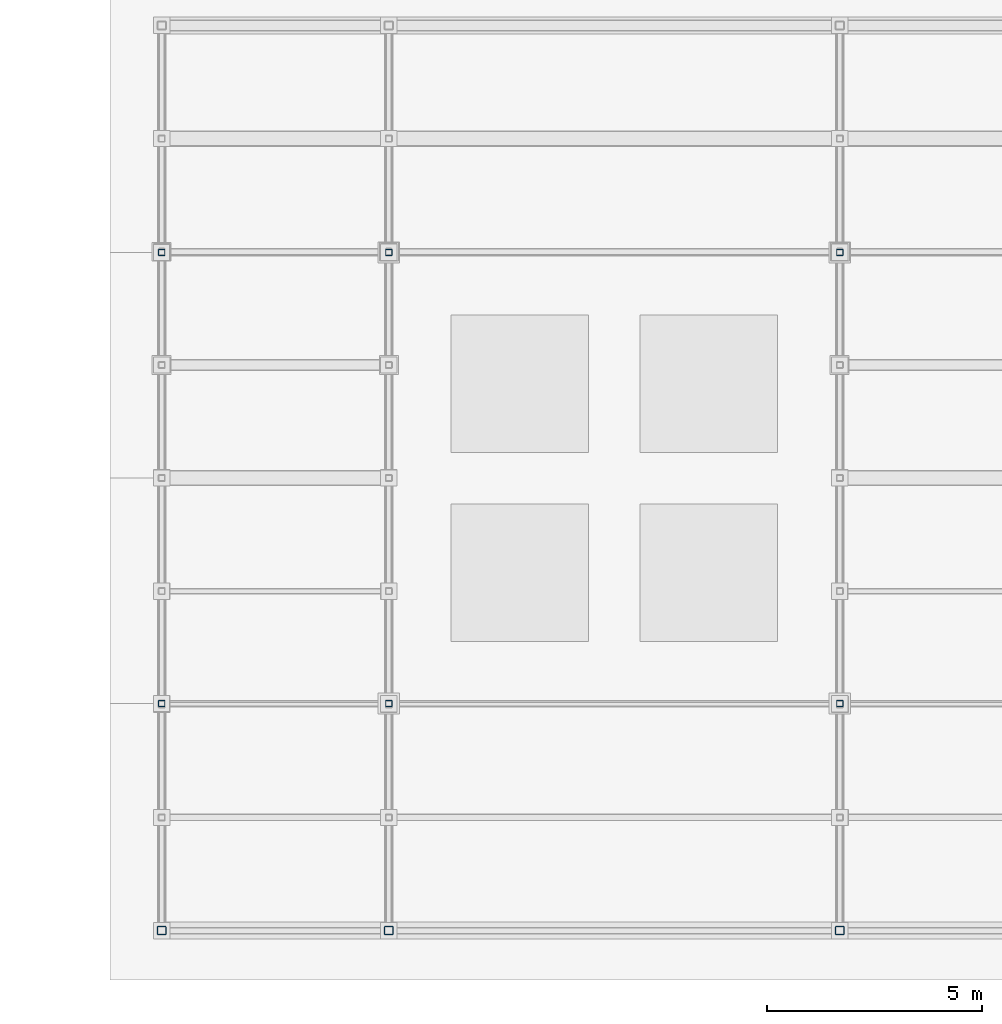
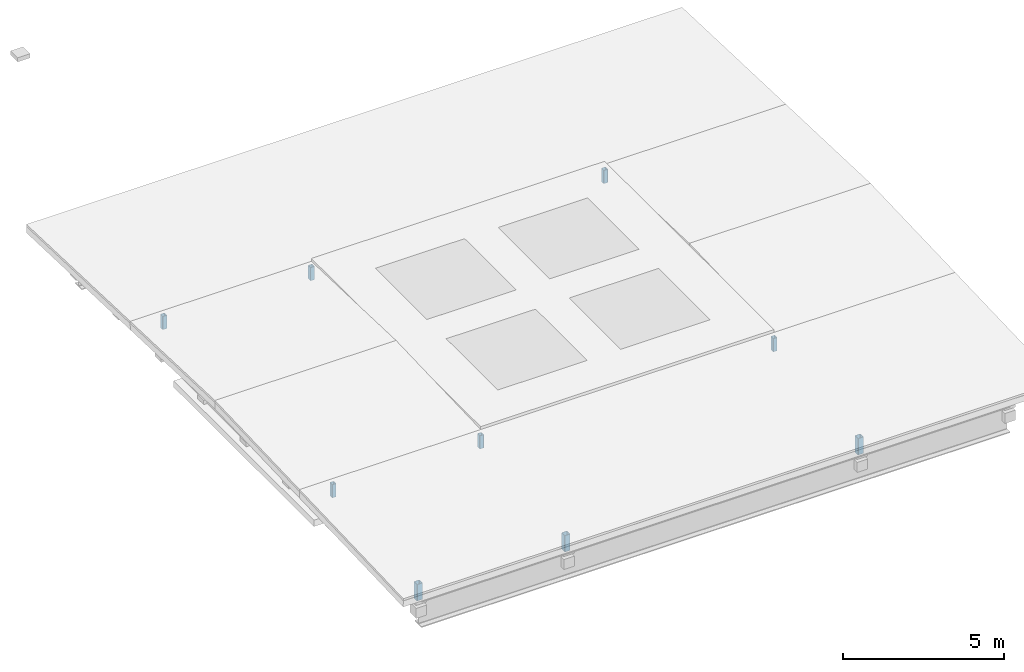
# One storey, part 17 of 25: 9 members.
"""IFC4 building model written with IfcOpenShell, lengths in metres."""

import ifcopenshell
import ifcopenshell.guid

model = None  # the IFC model being written
_history = None  # IfcOwnerHistory: only IFC2X3 demands one
_inside = {}  # id of a spatial element -> (the spatial element, [elements in it])
_under = {}  # id of a project, library or spatial element -> (it, [spatial elements below it])
_declared = {}  # id of a project -> (the project, [libraries it declares])
_typed = {}  # id of a type object -> (the type object, [elements of that type])
_made_of = {}  # id of a material, layer set ... -> (it, [elements and type objects made of it])


def new_model(schema):
    """Start an empty IFC model of exactly this schema.

    Asked for "IFC4X3", IfcOpenShell would pick the latest addendum, in which some entities
    have other attributes; the version numbers below select the first issue.
    IFC2X3 requires an IfcOwnerHistory on every rooted entity: one is made here for all.
    """
    global model, _history
    if schema == "IFC4X3":
        model = ifcopenshell.file(schema_version=(4, 3, 0, 0))
    else:
        model = ifcopenshell.file(schema=schema)
    _inside.clear()
    _under.clear()
    _declared.clear()
    _typed.clear()
    _made_of.clear()
    _history = None
    if model.schema == "IFC2X3":
        org = make("IfcOrganization", Name="unknown")
        user = make(
            "IfcPersonAndOrganization",
            ThePerson=make("IfcPerson", FamilyName="unknown"),
            TheOrganization=org,
        )
        app = make(
            "IfcApplication",
            ApplicationDeveloper=org,
            Version="unknown",
            ApplicationFullName="unknown",
            ApplicationIdentifier="unknown",
        )
        _history = make(
            "IfcOwnerHistory",
            OwningUser=user,
            OwningApplication=app,
            ChangeAction="ADDED",
            CreationDate=0,
        )
    return model


def make(cls, **values):
    """One entity of the class cls with the attributes given. An attribute that is None is left unset."""
    return model.create_entity(
        cls, **{name: value for name, value in values.items() if value is not None}
    )


def rooted(cls, **values):
    """An entity with a GlobalId (a new one), such as an element, a storey or a relation."""
    return make(cls, GlobalId=ifcopenshell.guid.new(), OwnerHistory=_history, **values)


def si_unit(unit_type, name, prefix=None):
    """IfcSIUnit, for example si_unit("LENGTHUNIT", "METRE", prefix="MILLI")."""
    return make("IfcSIUnit", UnitType=unit_type, Prefix=prefix, Name=name)


def assignment(units):
    """IfcUnitAssignment: the units of a project."""
    return None if units is None else make("IfcUnitAssignment", Units=units)


def point(xyz):
    """IfcCartesianPoint."""
    return None if xyz is None else make("IfcCartesianPoint", Coordinates=xyz)


def direction(xyz):
    """IfcDirection."""
    return None if xyz is None else make("IfcDirection", DirectionRatios=xyz)


def frame(location, z_axis=None, x_axis=None):
    """IfcAxis2Placement3D, a coordinate frame: its origin and axes. An axis left out is left unset."""
    return make(
        "IfcAxis2Placement3D",
        Location=point(location),
        Axis=direction(z_axis),
        RefDirection=direction(x_axis),
    )


def frame_2d(location, x_axis=None):
    """IfcAxis2Placement2D, a coordinate frame in the plane: its origin and x axis."""
    return make(
        "IfcAxis2Placement2D", Location=point(location), RefDirection=direction(x_axis)
    )


def origin():
    """The frame at (0, 0, 0) with its axes left unset."""
    return frame((0.0, 0.0, 0.0))


def origin_2d():
    """The frame at (0, 0) in the plane with its x axis left unset."""
    return frame_2d((0.0, 0.0))


def place(relative_to, where):
    """IfcLocalPlacement: puts the frame where relative to a parent placement (None: the world)."""
    return make(
        "IfcLocalPlacement", PlacementRelTo=relative_to, RelativePlacement=where
    )


def context(
    kind, dimensions, precision=None, world=None, true_north=None, identifier=None
):
    """IfcGeometricRepresentationContext, for example the 3D "Model" context."""
    return make(
        "IfcGeometricRepresentationContext",
        ContextIdentifier=identifier,
        ContextType=kind,
        CoordinateSpaceDimension=dimensions,
        Precision=precision,
        WorldCoordinateSystem=world,
        TrueNorth=true_north,
    )


def subcontext(parent, identifier, kind, view, scale=None):
    """IfcGeometricRepresentationSubContext, for example "Body" below "Model"."""
    return make(
        "IfcGeometricRepresentationSubContext",
        ContextIdentifier=identifier,
        ContextType=kind,
        ParentContext=parent,
        TargetScale=scale,
        TargetView=view,
    )


def project(units=None, contexts=None):
    """IfcProject with its units and contexts."""
    return rooted(
        "IfcProject",
        Name="project",
        RepresentationContexts=contexts,
        UnitsInContext=assignment(units),
    )


def spatial(cls, under=None, at=None, **own):
    """A site, building, storey or space (cls), placed at a placement, below another one or the project."""
    s = rooted(cls, ObjectPlacement=at, **own)
    if under is not None:
        _under.setdefault(under.id(), (under, []))[1].append(s)
    return s


def profile(cls, at=None, kind="AREA", **sizes):
    """A parametric profile (cls). Its sizes go by their IFC names, for example OverallWidth=200.0."""
    return make(cls, ProfileType=kind, Position=at, **sizes)


def hollow_rectangle(**sizes):
    """IfcRectangleHollowProfileDef."""
    return profile("IfcRectangleHollowProfileDef", **sizes)


def extrude(swept, where, along, depth):
    """IfcExtrudedAreaSolid: the profile swept, set in the frame where, extruded along a direction by depth."""
    return make(
        "IfcExtrudedAreaSolid",
        SweptArea=swept,
        Position=where,
        ExtrudedDirection=direction(along),
        Depth=depth,
    )


def shape(context_of_items, identifier, shape_type, items):
    """IfcShapeRepresentation: the items that make up one representation, for example the "Body"."""
    return make(
        "IfcShapeRepresentation",
        ContextOfItems=context_of_items,
        RepresentationIdentifier=identifier,
        RepresentationType=shape_type,
        Items=items,
    )


def material(Name=None, Category=None):
    """IfcMaterial."""
    return make("IfcMaterial", Name=Name, Category=Category)


def material_profile(
    of_material, cross_section, Name=None, Category=None, Priority=None
):
    """IfcMaterialProfile: a cross section and its material."""
    return make(
        "IfcMaterialProfile",
        Name=Name,
        Material=of_material,
        Profile=cross_section,
        Priority=Priority,
        Category=Category,
    )


def profile_set(profiles, Name=None, composite=None):
    """IfcMaterialProfileSet."""
    return make(
        "IfcMaterialProfileSet",
        Name=Name,
        MaterialProfiles=profiles,
        CompositeProfile=composite,
    )


def made_of(thing, what):
    """Note that an element or type object is made of a material, layer set ...; save() writes the relation."""
    if what is not None:
        _made_of.setdefault(what.id(), (what, []))[1].append(thing)
    return thing


def type_object(cls, material=None, **own):
    """A type object (cls), such as IfcWallType, which elements share."""
    return made_of(rooted(cls, **own), material)


def element(
    cls,
    number,
    at=None,
    inside=None,
    cuts=None,
    type_object=None,
    material=None,
    context=None,
    identifier="Body",
    shape_type=None,
    held_by="IfcProductDefinitionShape",
    body=None,
    shapes=None,
    **own,
):
    """One element of the class cls, such as IfcWall. Its Tag is "e" and its number.

    at: its placement. inside: the storey or other place that contains it. cuts: it is an
    opening in that element (IfcRelVoidsElement). A single representation is given by context,
    identifier, shape_type and body (its items); several are given by shapes. held_by: the class
    of the entity that holds the representations. save() writes the other relations.
    """
    e = rooted(cls, Tag="e%d" % number, ObjectPlacement=at, **own)
    if body is not None:
        shapes = [shape(context, identifier, shape_type, body)]
    if shapes is not None:
        e.Representation = make(held_by, Representations=shapes)
    if inside is not None:
        _inside.setdefault(inside.id(), (inside, []))[1].append(e)
    if cuts is not None:
        rooted(
            "IfcRelVoidsElement", RelatingBuildingElement=cuts, RelatedOpeningElement=e
        )
    if type_object is not None:
        _typed.setdefault(type_object.id(), (type_object, []))[1].append(e)
    return made_of(e, material)


def aggregate(whole, parts):
    """IfcRelAggregates: a whole, such as a stair, and the parts it consists of."""
    return rooted("IfcRelAggregates", RelatingObject=whole, RelatedObjects=parts)


def save(model, path):
    """Write the relations noted so far, then the file.

    IfcRelAggregates (storeys below a building ...), IfcRelContainedInSpatialStructure (elements
    in a storey), IfcRelDefinesByType, IfcRelAssociatesMaterial and IfcRelDeclares: one each for
    every whole, place, type object, material and project.
    """
    for whole, parts in _under.values():
        aggregate(whole, parts)
    for where, things in _inside.values():
        rooted(
            "IfcRelContainedInSpatialStructure",
            RelatedElements=things,
            RelatingStructure=where,
        )
    for kind, things in _typed.values():
        rooted("IfcRelDefinesByType", RelatedObjects=things, RelatingType=kind)
    for what, things in _made_of.values():
        rooted("IfcRelAssociatesMaterial", RelatedObjects=things, RelatingMaterial=what)
    for by, libraries in _declared.values():
        rooted("IfcRelDeclares", RelatingContext=by, RelatedDefinitions=libraries)
    model.write(path)


model = new_model("IFC4")

# Units and contexts
model_context = context("Model", 3, precision=1e-05, world=origin(), true_north=direction((0.0, 1.0)))
body_context = subcontext(model_context, "Body", "Model", "MODEL_VIEW")
ifc_project = project(units=[si_unit("LENGTHUNIT", "METRE"), si_unit("AREAUNIT", "SQUARE_METRE"), si_unit("VOLUMEUNIT", "CUBIC_METRE"), si_unit("PLANEANGLEUNIT", "RADIAN"), si_unit("MASSUNIT", "GRAM", prefix="KILO"), si_unit("THERMODYNAMICTEMPERATUREUNIT", "KELVIN"), si_unit("POWERUNIT", "WATT")], contexts=[model_context])

# Site, building, storey
site_placement = place(None, origin())
site = spatial("IfcSite", under=ifc_project, at=site_placement, CompositionType="ELEMENT")
building_placement = place(site_placement, origin())
building = spatial("IfcBuilding", under=site, at=building_placement, Name="Zelmaris Science Centre", CompositionType="ELEMENT")
storey_placement = place(building_placement, frame((0.0, 0.0, 30.0)))
storey = spatial("IfcBuildingStorey", under=building, at=storey_placement, Name="RF", CompositionType="ELEMENT", Elevation=30.0)

# Members
ifc_material = material(Name="Steel ASTM A500 Grade C", Category="steel")
ifc_material_profile_1 = material_profile(ifc_material, hollow_rectangle(XDim=0.203125, YDim=0.203125, WallThickness=0.01171875, InnerFilletRadius=0.01171875, OuterFilletRadius=0.023681640625, at=origin_2d()), Name="HSS203X203X13")
ifc_profile_set_1 = profile_set([ifc_material_profile_1], Name="Steel ASTM A500 Grade C")
member_type_1 = type_object("IfcMemberType", Name="Structural Brace BR-02 HSS203X203X13", PredefinedType="BRACE", material=ifc_profile_set_1)
for number, where, z_axis, x_axis, name in (
    (1, (70.464111328125, 25.464111328125, 0.72998046875), (0.0, 0.0, 1.0), (1.0, 0.0, 0.0), "RF-V2 Roof truss 1 end post VS"),
    (2, (75.75, 25.464111328125, 0.72998046875), (0.0, 0.0, 1.0), (1.0, 0.0, 0.0), "RF-V2 Roof truss 2 end post VS"),
    (3, (86.25, 25.464111328125, 0.72998046875), (0.0, 0.0, 1.0), (1.0, 0.0, 0.0), "RF-V2 Roof truss 3 end post VS"),
):
    element("IfcMember", number, at=place(storey_placement, frame(where, z_axis=z_axis, x_axis=x_axis)), inside=storey, type_object=member_type_1, Name=name, PredefinedType="BRACE", context=body_context, shape_type="SweptSolid", body=[
        extrude(hollow_rectangle(XDim=0.203125, YDim=0.203125, WallThickness=0.01171875, InnerFilletRadius=0.01171875, OuterFilletRadius=0.023681640625, at=origin_2d()), origin(), (0.0, 0.0, 1.0), 0.6181640625),
    ])
ifc_material_profile_2 = material_profile(ifc_material, hollow_rectangle(XDim=0.15234375, YDim=0.15234375, WallThickness=0.0087890625, InnerFilletRadius=0.0087890625, OuterFilletRadius=0.017822265625, at=origin_2d()), Name="HSS152X152X10")
ifc_profile_set_2 = profile_set([ifc_material_profile_2], Name="Steel ASTM A500 Grade C")
member_type_2 = type_object("IfcMemberType", Name="Structural Brace BR-03 HSS152X152X10", PredefinedType="BRACE", material=ifc_profile_set_2)
for number, where, z_axis, x_axis, name in (
    (4, (70.464111328125, 30.75, 1.400390625), (0.0, 0.0, 1.0), (1.0, 0.0, 0.0), "RF-V2 Lantern curb post S 70"),
    (5, (75.75, 30.75, 1.400390625), (0.0, 0.0, 1.0), (1.0, 0.0, 0.0), "RF-V2 Lantern curb post S 76"),
    (6, (86.25, 30.75, 1.400390625), (0.0, 0.0, 1.0), (1.0, 0.0, 0.0), "RF-V2 Lantern curb post S 86"),
    (7, (70.464111328125, 41.25, 1.400390625), (0.0, 0.0, 1.0), (1.0, 0.0, 0.0), "RF-V2 Lantern curb post N 70"),
    (8, (75.75, 41.25, 1.400390625), (0.0, 0.0, 1.0), (1.0, 0.0, 0.0), "RF-V2 Lantern curb post N 76"),
    (9, (86.25, 41.25, 1.400390625), (0.0, 0.0, 1.0), (1.0, 0.0, 0.0), "RF-V2 Lantern curb post N 86"),
):
    element("IfcMember", number, at=place(storey_placement, frame(where, z_axis=z_axis, x_axis=x_axis)), inside=storey, type_object=member_type_2, Name=name, PredefinedType="BRACE", context=body_context, shape_type="SweptSolid", body=[
        extrude(hollow_rectangle(XDim=0.15234375, YDim=0.15234375, WallThickness=0.0087890625, InnerFilletRadius=0.0087890625, OuterFilletRadius=0.017822265625, at=origin_2d()), origin(), (0.0, 0.0, 1.0), 0.49951171875),
    ])

save(model, "model.ifc")
